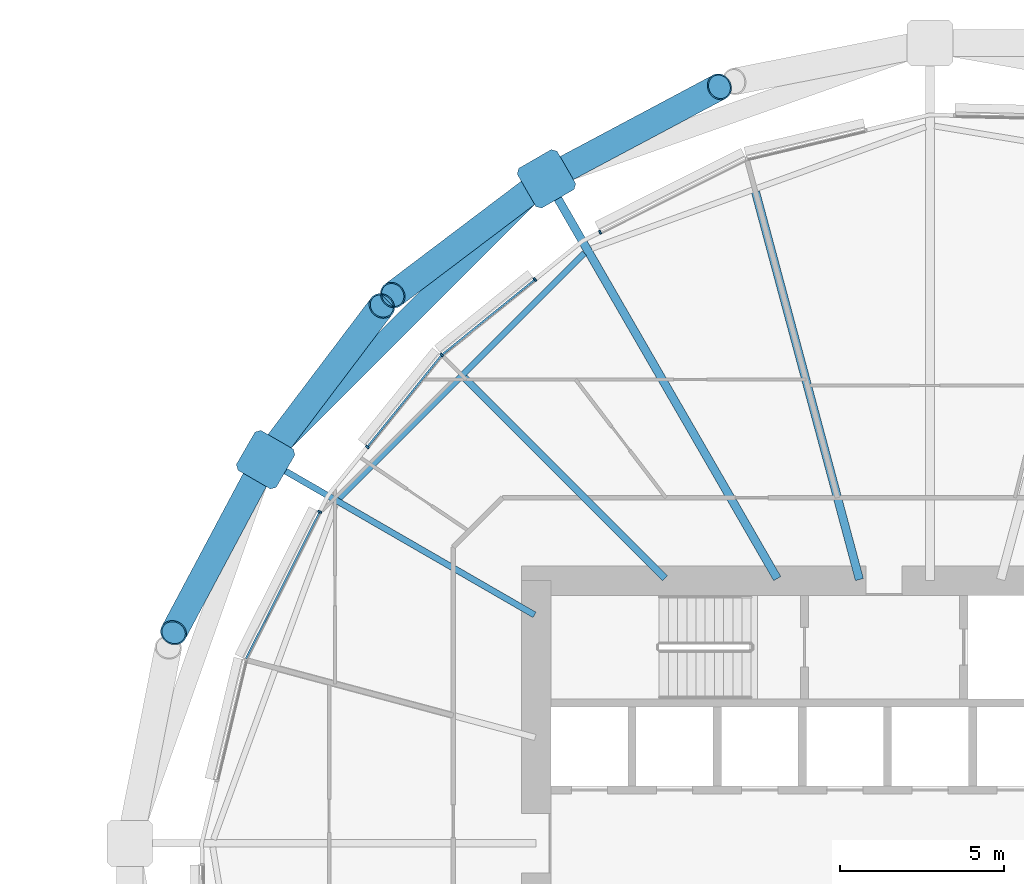
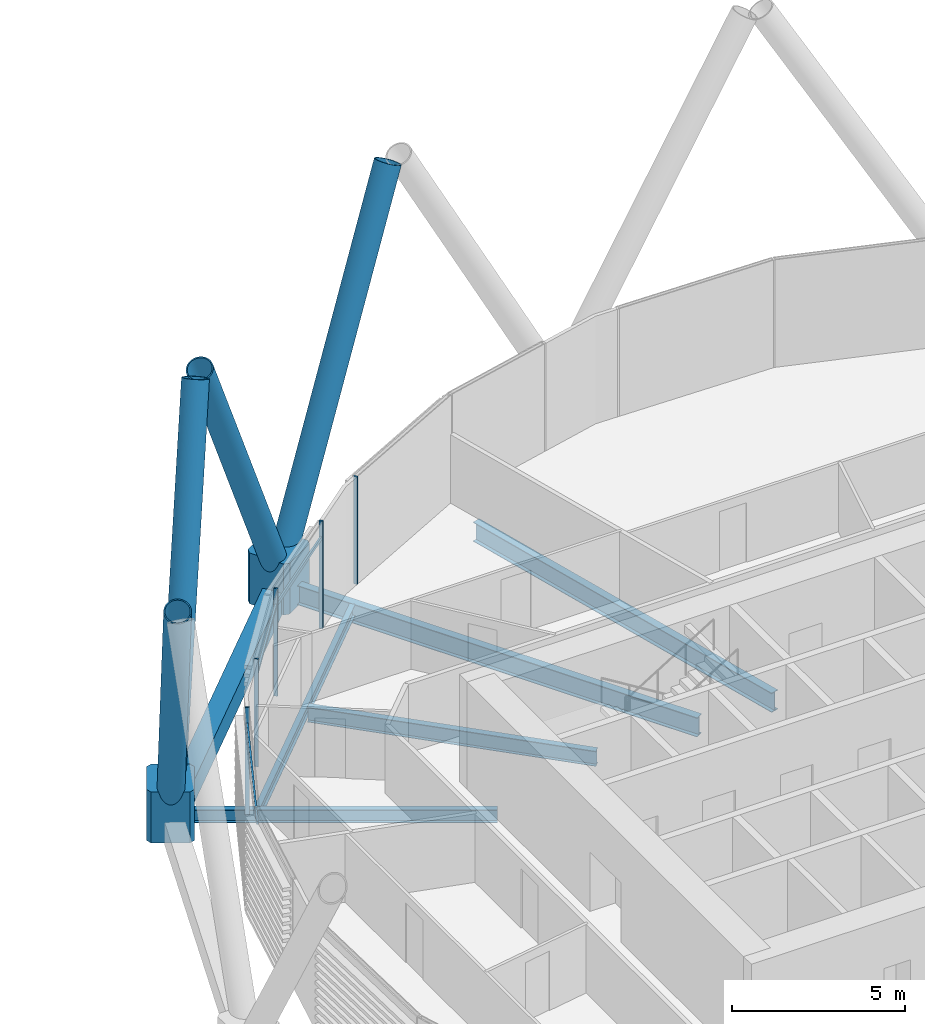
# One storey, part 16 of 36: 14 members, 6 beams, 1 element without a shape of its own.
"""IFC4 building model written with IfcOpenShell, lengths in metres."""

from ifc_helpers import new_model, si_unit, direction, frame, origin, origin_2d, place, context, subcontext, project, spatial, polyline, rectangle, hollow_rectangle, hollow_circle, i_section, outline, extrude, material, material_profile, profile_set, type_object, element, aggregate, save


model = new_model("IFC4")

# Units and contexts
model_context = context("Model", 3, precision=1e-05, world=origin(), true_north=direction((0.0, 1.0)))
body_context = subcontext(model_context, "Body", "Model", "MODEL_VIEW")
ifc_project = project(units=[si_unit("LENGTHUNIT", "METRE"), si_unit("AREAUNIT", "SQUARE_METRE"), si_unit("VOLUMEUNIT", "CUBIC_METRE"), si_unit("PLANEANGLEUNIT", "RADIAN"), si_unit("MASSUNIT", "GRAM", prefix="KILO")], contexts=[model_context])

# Site, building, storey
site_placement = place(None, origin())
site = spatial("IfcSite", under=ifc_project, at=site_placement, CompositionType="ELEMENT")
building_placement = place(site_placement, origin())
building = spatial("IfcBuilding", under=site, at=building_placement, Name="Rimbun Link Towers", CompositionType="ELEMENT")
storey_placement = place(building_placement, frame((0.0, 0.0, 64.199951171875)))
storey = spatial("IfcBuildingStorey", under=building, at=storey_placement, Name="L15", CompositionType="ELEMENT", Elevation=64.199951171875)

# Curtain wall, members
ifc_material_1 = material(Name="Aluminium 6063-T6 and low-iron glass", Category="aluminium")
curtain_wall_type = type_object("IfcCurtainWallType", Name="CW1 unitised vision wall", PredefinedType="NOTDEFINED", material=ifc_material_1)
curtain_wall_placement = place(storey_placement, origin())
curtain_wall = element("IfcCurtainWall", 1, at=curtain_wall_placement, inside=storey, type_object=curtain_wall_type, Name="CW1 L15 T2", PredefinedType="NOTDEFINED")
ifc_material_2 = material(Name="Aluminium 6063-T6", Category="aluminium")
ifc_material_profile_1 = material_profile(ifc_material_2, rectangle(XDim=0.1201171875, YDim=0.06005859375, at=origin_2d()), Name="MULLION 60X120")
ifc_profile_set_1 = profile_set([ifc_material_profile_1], Name="Aluminium 6063-T6")
member_type_1 = type_object("IfcMemberType", Name="CW1 mullion 60X120", PredefinedType="MULLION", material=ifc_profile_set_1)
member_1_placement = place(storey_placement, frame((21.69873046875, 18.6142578125, 0.0), z_axis=(0.0, 0.0, 1.0), x_axis=(-0.448782301468, 0.893641116942, 0.0)))
member_1 = element("IfcMember", 2, at=member_1_placement, type_object=member_type_1, Name="CW1 mullion", PredefinedType="MULLION", context=body_context, shape_type="SweptSolid", body=[
    extrude(rectangle(XDim=0.1201171875, YDim=0.06005859375, at=origin_2d()), origin(), (0.0, 0.0, 1.0), 3.800048828125),
])
member_2_placement = place(storey_placement, frame((16.87451171875, 14.87548828125, 0.0), z_axis=(0.0, 0.0, 1.0), x_axis=(-0.707106781187, 0.707106781187, 0.0)))
member_2 = element("IfcMember", 3, at=member_2_placement, type_object=member_type_1, Name="CW1 mullion", PredefinedType="MULLION", context=body_context, shape_type="SweptSolid", body=[
    extrude(rectangle(XDim=0.1201171875, YDim=0.06005859375, at=origin_2d()), origin(), (0.0, 0.0, 1.0), 3.800048828125),
])
member_3_placement = place(storey_placement, frame((19.7138671875, 17.174072265625, 0.0), z_axis=(0.0, 0.0, 1.0), x_axis=(-0.629155313069, 0.777279609946, 0.0)))
member_3 = element("IfcMember", 4, at=member_3_placement, type_object=member_type_1, Name="CW1 mullion", PredefinedType="MULLION", context=body_context, shape_type="SweptSolid", body=[
    extrude(rectangle(XDim=0.1201171875, YDim=0.06005859375, at=origin_2d()), origin(), (0.0, 0.0, 1.0), 3.800048828125),
])
member_4_placement = place(storey_placement, frame((14.607421875, 12.0751953125, 0.0), z_axis=(0.0, 0.0, 1.0), x_axis=(-0.777279609946, 0.629155313069, 0.0)))
member_4 = element("IfcMember", 5, at=member_4_placement, type_object=member_type_1, Name="CW1 mullion", PredefinedType="MULLION", context=body_context, shape_type="SweptSolid", body=[
    extrude(rectangle(XDim=0.1201171875, YDim=0.06005859375, at=origin_2d()), origin(), (0.0, 0.0, 1.0), 3.800048828125),
])
member_5_placement = place(storey_placement, frame((13.158203125, 10.095947265625, 0.0), z_axis=(0.0, 0.0, 1.0), x_axis=(-0.893641116942, 0.448782301468, 0.0)))
member_5 = element("IfcMember", 6, at=member_5_placement, type_object=member_type_1, Name="CW1 mullion", PredefinedType="MULLION", context=body_context, shape_type="SweptSolid", body=[
    extrude(rectangle(XDim=0.1201171875, YDim=0.06005859375, at=origin_2d()), origin(), (0.0, 0.0, 1.0), 3.800048828125),
])
ifc_material_3 = material(Name="Aluminium 6063-T6", Category="aluminium")
ifc_material_profile_2 = material_profile(ifc_material_3, rectangle(XDim=0.06005859375, YDim=0.1201171875, at=origin_2d()), Name="TRANSOM 60X120")
ifc_profile_set_2 = profile_set([ifc_material_profile_2], Name="Aluminium 6063-T6")
member_type_2 = type_object("IfcMemberType", Name="CW1 transom 60X120", PredefinedType="USERDEFINED", material=ifc_profile_set_2)
member_6_placement = place(storey_placement, frame((16.90380859375, 14.89697265625, 3.199951171875), z_axis=(0.777276572955, 0.629159065051, 0.0), x_axis=(-0.629159065051, 0.777276572955, 0.0)))
member_6 = element("IfcMember", 7, at=member_6_placement, type_object=member_type_2, Name="CW1 transom", ObjectType="TRANSOM", PredefinedType="USERDEFINED", context=body_context, shape_type="SweptSolid", body=[
    extrude(rectangle(XDim=0.06005859375, YDim=0.1201171875, at=origin_2d()), origin(), (0.0, 0.0, 1.0), 3.586669921875),
])
member_7_placement = place(storey_placement, frame((14.6279296875, 12.09716796875, 3.199951171875), z_axis=(0.629146596033, 0.777286665716, 0.0), x_axis=(-0.777286665716, 0.629146596033, 0.0)))
member_7 = element("IfcMember", 8, at=member_7_placement, type_object=member_type_2, Name="CW1 transom", ObjectType="TRANSOM", PredefinedType="USERDEFINED", context=body_context, shape_type="SweptSolid", body=[
    extrude(rectangle(XDim=0.06005859375, YDim=0.1201171875, at=origin_2d()), origin(), (0.0, 0.0, 1.0), 3.53662109375),
])
member_8_placement = place(storey_placement, frame((10.915283203125, 5.625244140625, 3.199951171875), z_axis=(0.448784313337, 0.893640106588, 0.0), x_axis=(-0.893640106588, 0.448784313337, 0.0)))
member_8 = element("IfcMember", 9, at=member_8_placement, type_object=member_type_2, Name="CW1 transom", ObjectType="TRANSOM", PredefinedType="USERDEFINED", context=body_context, shape_type="SweptSolid", body=[
    extrude(rectangle(XDim=0.06005859375, YDim=0.1201171875, at=origin_2d()), origin(), (0.0, 0.0, 1.0), 4.9716796875),
])
aggregate(curtain_wall, [member_1, member_2, member_3, member_4, member_5, member_6, member_7, member_8])

# Members
ifc_material_4 = material(Name="Steel S460NH", Category="steel")
ifc_material_profile_3 = material_profile(ifc_material_4, hollow_circle(Radius=0.406494140625, WallThickness=0.0400390625, at=origin_2d()), Name="Diagrid diagonal CHS 813x40")
ifc_profile_set_3 = profile_set([ifc_material_profile_3], Name="Steel S460NH")
member_type_3 = type_object("IfcMemberType", Name="Diagrid diagonal CHS 813x40", PredefinedType="BRACE", material=ifc_profile_set_3)
member_9_placement = place(storey_placement, frame((20.275634765625, 20.352294921875, 0.439208984375), z_axis=(0.422200207956, 0.224722423541, 0.878206591162), x_axis=(-0.469853900796, 0.882744193924, 0.0)))
element("IfcMember", 10, at=member_9_placement, inside=storey, type_object=member_type_3, Name="Diagrid diagonal T2 L15-L18 05a", PredefinedType="BRACE", context=body_context, shape_type="SweptSolid", body=[
    extrude(hollow_circle(Radius=0.406494140625, WallThickness=0.0400390625, at=origin_2d()), origin(), (0.0, 0.0, 1.0), 11.98095703125),
])
for number, where, z_axis, x_axis, name in (
    (11, (19.876220703125, 20.097412109375, 0.440673828125), (-0.376724031011, -0.28471686393, 0.881484720147), (0.602942184893, -0.797784884337, 0.0), "Diagrid diagonal T2 L15-L18 05b"),
    (12, (11.652587890625, 11.873779296875, 0.440673828125), (0.28471686393, 0.376724031011, 0.881484720147), (-0.797784884337, 0.602942184893, 0.0), "Diagrid diagonal T2 L15-L18 07a"),
):
    element("IfcMember", number, at=place(storey_placement, frame(where, z_axis=z_axis, x_axis=x_axis)), inside=storey, type_object=member_type_3, Name=name, PredefinedType="BRACE", context=body_context, shape_type="SweptSolid", body=[
        extrude(hollow_circle(Radius=0.406494140625, WallThickness=0.0400390625, at=origin_2d()), origin(), (0.0, 0.0, 1.0), 11.932861328125),
    ])
member_10_placement = place(storey_placement, frame((11.397705078125, 11.474365234375, 0.439208984375), z_axis=(-0.224722423541, -0.422200207956, 0.878206591162), x_axis=(0.882744193924, -0.469853900796, 0.0)))
element("IfcMember", 13, at=member_10_placement, inside=storey, type_object=member_type_3, Name="Diagrid diagonal T2 L15-L18 07b", PredefinedType="BRACE", context=body_context, shape_type="SweptSolid", body=[
    extrude(hollow_circle(Radius=0.406494140625, WallThickness=0.0400390625, at=origin_2d()), origin(), (0.0, 0.0, 1.0), 11.98095703125),
])
ifc_material_5 = material(Name="Cast steel G20Mn5+QT, Rp0.2 300 MPa", Category="steel")
ifc_material_profile_4 = material_profile(ifc_material_5, outline(polyline([(0.699951171875, -0.570068359375), (0.699951171875, 0.570068359375), (0.570068359375, 0.699951171875), (-0.570068359375, 0.699951171875), (-0.699951171875, 0.570068359375), (-0.699951171875, -0.570068359375), (-0.570068359375, -0.699951171875), (0.570068359375, -0.699951171875), (0.699951171875, -0.570068359375)])), Name="NODE 1400x1400")
ifc_profile_set_4 = profile_set([ifc_material_profile_4], Name="Cast steel G20Mn5+QT, Rp0.2 300 MPa")
member_type_4 = type_object("IfcMemberType", Name="Diagrid node cast 1400", PredefinedType="USERDEFINED", material=ifc_profile_set_4)
for number, where, z_axis, x_axis, name in (
    (14, (20.064453125, 20.239990234375, -0.89990234375), (0.0, 0.0, 1.0), (-0.5, 0.866025403784, 0.0), "Diagrid node L15 05"),
    (15, (11.510009765625, 11.685546875, -0.89990234375), (0.0, 0.0, 1.0), (-0.866025403784, 0.5, 0.0), "Diagrid node L15 07"),
):
    element("IfcMember", number, at=place(storey_placement, frame(where, z_axis=z_axis, x_axis=x_axis)), inside=storey, type_object=member_type_4, Name=name, ObjectType="Diagrid node", PredefinedType="USERDEFINED", context=body_context, shape_type="SweptSolid", body=[
        extrude(outline(polyline([(0.699951171875, -0.570068359375), (0.699951171875, 0.570068359375), (0.570068359375, 0.699951171875), (-0.570068359375, 0.699951171875), (-0.699951171875, 0.570068359375), (-0.699951171875, -0.570068359375), (-0.570068359375, -0.699951171875), (0.570068359375, -0.699951171875), (0.699951171875, -0.570068359375)])), origin(), (0.0, 0.0, 1.0), 1.800048828125),
    ])

# Beams
ifc_material_6 = material(Name="Steel S355J2", Category="steel")
ifc_material_profile_5 = material_profile(ifc_material_6, hollow_rectangle(XDim=0.60009765625, YDim=0.800048828125, WallThickness=0.0400390625, at=origin_2d()), Name="Exoskeleton ring girder BOX 600x800x40")
ifc_profile_set_5 = profile_set([ifc_material_profile_5], Name="Steel S355J2")
beam_type_1 = type_object("IfcBeamType", Name="Exoskeleton ring girder BOX 600x800x40", PredefinedType="BEAM", material=ifc_profile_set_5)
beam_1_placement = place(storey_placement, frame((19.569580078125, 19.744873046875, -0.56005859375), z_axis=(-0.707106781187, -0.707106781187, 0.0), x_axis=(0.707106781187, -0.707106781187, 0.0)))
element("IfcBeam", 16, at=beam_1_placement, inside=storey, type_object=beam_type_1, Name="Exoskeleton ring girder L15 02", PredefinedType="BEAM", context=body_context, shape_type="SweptSolid", body=[
    extrude(hollow_rectangle(XDim=0.60009765625, YDim=0.800048828125, WallThickness=0.0400390625, at=origin_2d()), origin(), (0.0, 0.0, 1.0), 10.69775390625),
])
ifc_material_7 = material(Name="Steel S355J2", Category="steel")
ifc_material_profile_6 = material_profile(ifc_material_7, i_section(OverallWidth=0.177978515625, OverallDepth=0.406494140625, WebThickness=0.0078125, FlangeThickness=0.0126953125, at=origin_2d()), Name="UB 406x178x60")
ifc_profile_set_6 = profile_set([ifc_material_profile_6], Name="Steel S355J2")
beam_type_2 = type_object("IfcBeamType", Name="UB 406x178x60", PredefinedType="BEAM", material=ifc_profile_set_6)
beam_2_placement = place(storey_placement, frame((21.222412109375, 17.978515625, -0.363037109375), z_axis=(-0.707106781187, -0.707106781187, 0.0), x_axis=(0.707106781187, -0.707106781187, 0.0)))
element("IfcBeam", 17, at=beam_2_placement, inside=storey, type_object=beam_type_2, Name="Edge beam T2 L15 05-07", PredefinedType="BEAM", context=body_context, shape_type="SweptSolid", body=[
    extrude(i_section(OverallWidth=0.177978515625, OverallDepth=0.406494140625, WebThickness=0.0078125, FlangeThickness=0.0126953125, at=origin_2d()), origin(), (0.0, 0.0, 1.0), 10.5703125),
])
ifc_material_8 = material(Name="Steel S355J2", Category="steel")
ifc_material_profile_7 = material_profile(ifc_material_8, i_section(OverallWidth=0.18994140625, OverallDepth=0.453369140625, WebThickness=0.008544921875, FlangeThickness=0.0126953125, at=origin_2d()), Name="UB 457x191x67")
ifc_profile_set_7 = profile_set([ifc_material_profile_7], Name="Steel S355J2")
beam_type_3 = type_object("IfcBeamType", Name="UB 457x191x67", PredefinedType="BEAM", material=ifc_profile_set_7)
beam_3_placement = place(storey_placement, frame((19.70166015625, 6.9560546875, -0.38671875), z_axis=(-0.866020851292, 0.500007885066, 0.0), x_axis=(-0.500007885066, -0.866020851292, 0.0)))
element("IfcBeam", 18, at=beam_3_placement, inside=storey, type_object=beam_type_3, Name="Radial beam T2 L15 07", PredefinedType="BEAM", context=body_context, shape_type="SweptSolid", body=[
    extrude(i_section(OverallWidth=0.18994140625, OverallDepth=0.453369140625, WebThickness=0.008544921875, FlangeThickness=0.0126953125, at=origin_2d()), origin(), (0.0, 0.0, 1.0), 8.958740234375),
])
ifc_material_9 = material(Name="Steel S355J2", Category="steel")
ifc_material_profile_8 = material_profile(ifc_material_9, i_section(OverallWidth=0.209228515625, OverallDepth=0.533203125, WebThickness=0.010009765625, FlangeThickness=0.015625, at=origin_2d()), Name="UB 533x210x92")
ifc_profile_set_8 = profile_set([ifc_material_profile_8], Name="Steel S355J2")
beam_type_4 = type_object("IfcBeamType", Name="UB 533x210x92", PredefinedType="BEAM", material=ifc_profile_set_8)
beam_4_placement = place(storey_placement, frame((23.67529296875, 8.07470703125, -0.426513671875), z_axis=(-0.707106781187, 0.707106781187, 0.0), x_axis=(-0.707106781187, -0.707106781187, 0.0)))
element("IfcBeam", 19, at=beam_4_placement, inside=storey, type_object=beam_type_4, Name="Radial beam T2 L15 06", PredefinedType="BEAM", context=body_context, shape_type="SweptSolid", body=[
    extrude(i_section(OverallWidth=0.209228515625, OverallDepth=0.533203125, WebThickness=0.010009765625, FlangeThickness=0.015625, at=origin_2d()), origin(), (0.0, 0.0, 1.0), 8.6474609375),
])
ifc_material_10 = material(Name="Steel S355J2", Category="steel")
ifc_material_profile_9 = material_profile(ifc_material_10, i_section(OverallWidth=0.253662109375, OverallDepth=0.68359375, WebThickness=0.012451171875, FlangeThickness=0.01904296875, at=origin_2d()), Name="UB 686x254x140")
ifc_profile_set_9 = profile_set([ifc_material_profile_9], Name="Steel S355J2")
beam_type_5 = type_object("IfcBeamType", Name="UB 686x254x140", PredefinedType="BEAM", material=ifc_profile_set_9)
beam_5_placement = place(storey_placement, frame((29.597412109375, 8.03369140625, -0.501708984375), z_axis=(-0.258823610988, 0.965924602852, 0.0), x_axis=(-0.965924602852, -0.258823610988, 0.0)))
element("IfcBeam", 20, at=beam_5_placement, inside=storey, type_object=beam_type_5, Name="Radial beam T2 L15 04", PredefinedType="BEAM", context=body_context, shape_type="SweptSolid", body=[
    extrude(i_section(OverallWidth=0.253662109375, OverallDepth=0.68359375, WebThickness=0.012451171875, FlangeThickness=0.01904296875, at=origin_2d()), origin(), (0.0, 0.0, 1.0), 12.222900390625),
])
beam_6_placement = place(storey_placement, frame((27.093994140625, 8.064208984375, -0.501708984375), z_axis=(-0.499994689528, 0.866028469765, 0.0), x_axis=(-0.866028469765, -0.499994689528, 0.0)))
element("IfcBeam", 21, at=beam_6_placement, inside=storey, type_object=beam_type_5, Name="Radial beam T2 L15 05", PredefinedType="BEAM", context=body_context, shape_type="SweptSolid", body=[
    extrude(i_section(OverallWidth=0.253662109375, OverallDepth=0.68359375, WebThickness=0.012451171875, FlangeThickness=0.01904296875, at=origin_2d()), origin(), (0.0, 0.0, 1.0), 13.559326171875),
])

save(model, "model.ifc")
